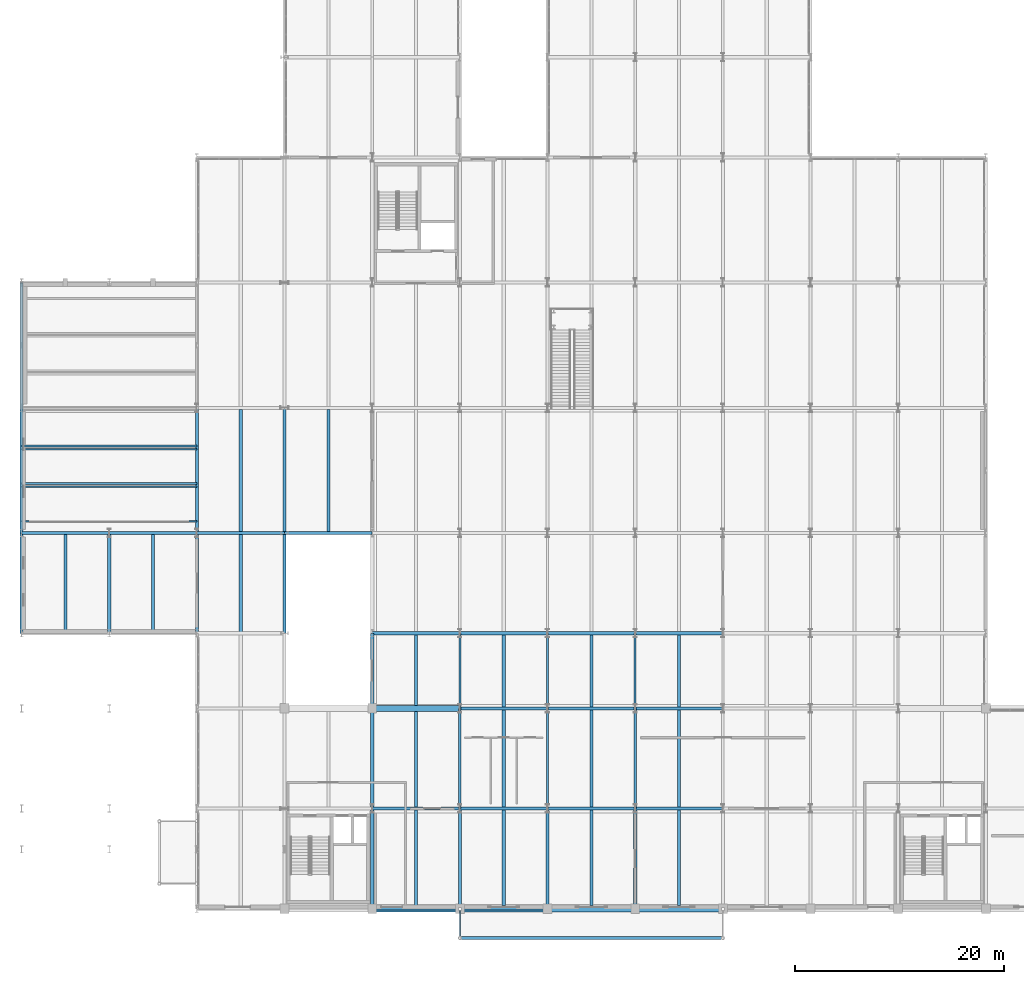
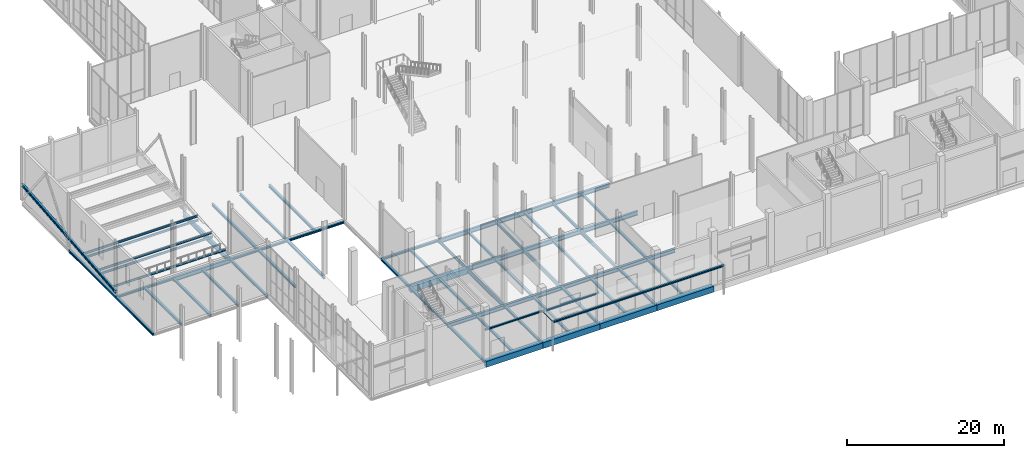
# One storey, part 22 of 131: 65 beams, 1 member.
"""IFC4 building model written with IfcOpenShell, lengths in metres."""

from ifc_helpers import new_model, si_unit, direction, frame, origin, origin_2d, place, context, subcontext, project, spatial, rectangle, hollow_rectangle, i_section, extrude, material, material_profile, profile_set, type_object, element, save


model = new_model("IFC4")

# Units and contexts
model_context = context("Model", 3, precision=1e-05, world=origin(), true_north=direction((0.0, 1.0)))
body_context = subcontext(model_context, "Body", "Model", "MODEL_VIEW")
ifc_project = project(units=[si_unit("LENGTHUNIT", "METRE"), si_unit("AREAUNIT", "SQUARE_METRE"), si_unit("VOLUMEUNIT", "CUBIC_METRE"), si_unit("PLANEANGLEUNIT", "RADIAN"), si_unit("MASSUNIT", "GRAM", prefix="KILO")], contexts=[model_context])

# Site, building, storey
site_placement = place(None, origin())
site = spatial("IfcSite", under=ifc_project, at=site_placement, CompositionType="ELEMENT")
building_placement = place(site_placement, origin())
building = spatial("IfcBuilding", under=site, at=building_placement, Name="Veltarok Museum of Natural Sciences", CompositionType="ELEMENT")
storey_placement = place(building_placement, origin())
storey = spatial("IfcBuildingStorey", under=building, at=storey_placement, Name="L00", CompositionType="ELEMENT", Elevation=0.0)

# Beam
ifc_material_1 = material(Name="Steel S355J2", Category="steel")
ifc_material_profile_1 = material_profile(ifc_material_1, i_section(OverallWidth=0.300048828125, OverallDepth=0.43994140625, WebThickness=0.011474609375, FlangeThickness=0.02099609375, FilletRadius=0.027099609375, at=origin_2d()), Name="HEA 450")
ifc_profile_set_1 = profile_set([ifc_material_profile_1], Name="Steel S355J2")
beam_type_1 = type_object("IfcBeamType", Name="Auditorium Tier Raker Beam HEA 450", PredefinedType="BEAM", material=ifc_profile_set_1)
beam_1_placement = place(storey_placement, frame((6.39990234375, 36.0, 0.339111328125), z_axis=(0.0, 0.995825088731, 0.091281940456), x_axis=(-1.0, 0.0, 0.0)))
element("IfcBeam", 1, at=beam_1_placement, inside=storey, type_object=beam_type_1, Name="Auditorium Raker Beam RAKER-L00-1", PredefinedType="BEAM", context=body_context, shape_type="SweptSolid", body=[
    extrude(i_section(OverallWidth=0.300048828125, OverallDepth=0.43994140625, WebThickness=0.011474609375, FlangeThickness=0.02099609375, FilletRadius=0.027099609375, at=origin_2d()), origin(), (0.0, 0.0, 1.0), 24.1005859375),
])

# Member
ifc_material_profile_2 = material_profile(ifc_material_1, hollow_rectangle(XDim=0.06005859375, YDim=0.1201171875, WallThickness=0.0048828125, at=origin_2d()), Name="RHS 120x60x5")
ifc_profile_set_2 = profile_set([ifc_material_profile_2], Name="Steel S355J2")
member_type = type_object("IfcMemberType", Name="Canopy Glazing Purlin RHS 120x60x5", PredefinedType="PURLIN", material=ifc_profile_set_2)
member_placement = place(storey_placement, frame((48.39990234375, -2.800048828125, 4.5400390625), z_axis=(0.0, 1.0, 0.0), x_axis=(-1.0, 0.0, 0.0)))
element("IfcMember", 2, at=member_placement, inside=storey, type_object=member_type, Name="Canopy Purlin CAN-S-1", PredefinedType="PURLIN", context=body_context, shape_type="SweptSolid", body=[
    extrude(hollow_rectangle(XDim=0.06005859375, YDim=0.1201171875, WallThickness=0.0048828125, at=origin_2d()), origin(), (0.0, 0.0, 1.0), 2.800048828125),
])

# Beams
ifc_material_2 = material(Name="Concrete C40/50", Category="concrete")
ifc_material_profile_3 = material_profile(ifc_material_2, rectangle(XDim=0.60009765625, YDim=0.89990234375, at=origin_2d()), Name="RC 600x900")
ifc_profile_set_3 = profile_set([ifc_material_profile_3], Name="Concrete C40/50")
beam_type_2 = type_object("IfcBeamType", Name="Exposed Cabinet Perimeter Spandrel RC 600x900", PredefinedType="SPANDREL", material=ifc_profile_set_3)
beam_2_placement = place(storey_placement, frame((40.0, 0.0, -0.75), z_axis=(1.0, 0.0, 0.0), x_axis=(0.0, 1.0, 0.0)))
element("IfcBeam", 3, at=beam_2_placement, inside=storey, type_object=beam_type_2, Name="Beam BM-SP01 L00 5-6/A", PredefinedType="SPANDREL", context=body_context, shape_type="SweptSolid", body=[
    extrude(rectangle(XDim=0.60009765625, YDim=0.89990234375, at=origin_2d()), origin(), (0.0, 0.0, 1.0), 8.39990234375),
])
beam_3_placement = place(storey_placement, frame((48.39990234375, 0.0, -0.75), z_axis=(1.0, 0.0, 0.0), x_axis=(0.0, 1.0, 0.0)))
element("IfcBeam", 4, at=beam_3_placement, inside=storey, type_object=beam_type_2, Name="Beam BM-SP01 L00 6-7/A", PredefinedType="SPANDREL", context=body_context, shape_type="SweptSolid", body=[
    extrude(rectangle(XDim=0.60009765625, YDim=0.89990234375, at=origin_2d()), origin(), (0.0, 0.0, 1.0), 8.400146484375),
])
beam_4_placement = place(storey_placement, frame((56.800048828125, 0.0, -0.75), z_axis=(1.0, 0.0, 0.0), x_axis=(0.0, 1.0, 0.0)))
element("IfcBeam", 5, at=beam_4_placement, inside=storey, type_object=beam_type_2, Name="Beam BM-SP01 L00 7-8/A", PredefinedType="SPANDREL", context=body_context, shape_type="SweptSolid", body=[
    extrude(rectangle(XDim=0.60009765625, YDim=0.89990234375, at=origin_2d()), origin(), (0.0, 0.0, 1.0), 8.39990234375),
])
beam_5_placement = place(storey_placement, frame((65.199951171875, 0.0, -0.75), z_axis=(1.0, 0.0, 0.0), x_axis=(0.0, 1.0, 0.0)))
element("IfcBeam", 6, at=beam_5_placement, inside=storey, type_object=beam_type_2, Name="Beam BM-SP01 L00 8-9/A", PredefinedType="SPANDREL", context=body_context, shape_type="SweptSolid", body=[
    extrude(rectangle(XDim=0.60009765625, YDim=0.89990234375, at=origin_2d()), origin(), (0.0, 0.0, 1.0), 8.400146484375),
])
beam_6_placement = place(storey_placement, frame((40.0, 19.199951171875, -0.75), z_axis=(1.0, 0.0, 0.0), x_axis=(0.0, 1.0, 0.0)))
element("IfcBeam", 7, at=beam_6_placement, inside=storey, type_object=beam_type_2, Name="Beam BM-SP01 L00 5-6/C", PredefinedType="SPANDREL", context=body_context, shape_type="SweptSolid", body=[
    extrude(rectangle(XDim=0.60009765625, YDim=0.89990234375, at=origin_2d()), origin(), (0.0, 0.0, 1.0), 8.39990234375),
])
ifc_material_profile_4 = material_profile(ifc_material_1, i_section(OverallWidth=0.300048828125, OverallDepth=0.389892578125, WebThickness=0.010986328125, FlangeThickness=0.01904296875, FilletRadius=0.027099609375, at=origin_2d()), Name="HEA 400")
ifc_profile_set_4 = profile_set([ifc_material_profile_4], Name="Steel S355J2")
beam_type_3 = type_object("IfcBeamType", Name="Heavy Archive Joist HEA 400", PredefinedType="JOIST", material=ifc_profile_set_4)
for number, where, z_axis, x_axis, name in (
    (8, (27.39990234375, 36.14794921875, -0.4951171875), (0.0, 1.0, 0.0), (-1.0, 0.0, 0.0), "Secondary Joist BM-J06 L00 3-4/E-F.1"),
    (9, (35.800048828125, 36.14794921875, -0.4951171875), (0.0, 1.0, 0.0), (-1.0, 0.0, 0.0), "Secondary Joist BM-J06 L00 4-5/E-F.1"),
):
    element("IfcBeam", number, at=place(storey_placement, frame(where, z_axis=z_axis, x_axis=x_axis)), inside=storey, type_object=beam_type_3, Name=name, PredefinedType="JOIST", context=body_context, shape_type="SweptSolid", body=[
        extrude(i_section(OverallWidth=0.300048828125, OverallDepth=0.389892578125, WebThickness=0.010986328125, FlangeThickness=0.01904296875, FilletRadius=0.027099609375, at=origin_2d()), origin(), (0.0, 0.0, 1.0), 11.7041015625),
    ])
ifc_material_profile_5 = material_profile(ifc_material_1, i_section(OverallWidth=0.300048828125, OverallDepth=0.64990234375, WebThickness=0.01611328125, FlangeThickness=0.031005859375, FilletRadius=0.027099609375, at=origin_2d()), Name="HEB 650")
ifc_profile_set_5 = profile_set([ifc_material_profile_5], Name="Steel S355J2")
beam_type_4 = type_object("IfcBeamType", Name="Heavy Spine Girder HEB 650", PredefinedType="BEAM", material=ifc_profile_set_5)
beam_7_placement = place(storey_placement, frame((40.0, 9.60009765625, -0.625), z_axis=(1.0, 0.0, 0.0), x_axis=(0.0, 1.0, 0.0)))
element("IfcBeam", 10, at=beam_7_placement, inside=storey, type_object=beam_type_4, Name="Beam BM-G11 L00 5-6/B", PredefinedType="BEAM", context=body_context, shape_type="SweptSolid", body=[
    extrude(i_section(OverallWidth=0.300048828125, OverallDepth=0.64990234375, WebThickness=0.01611328125, FlangeThickness=0.031005859375, FilletRadius=0.027099609375, at=origin_2d()), origin(), (0.0, 0.0, 1.0), 8.39990234375),
])
beam_8_placement = place(storey_placement, frame((48.39990234375, 9.60009765625, -0.625), z_axis=(1.0, 0.0, 0.0), x_axis=(0.0, 1.0, 0.0)))
element("IfcBeam", 11, at=beam_8_placement, inside=storey, type_object=beam_type_4, Name="Beam BM-G11 L00 6-7/B", PredefinedType="BEAM", context=body_context, shape_type="SweptSolid", body=[
    extrude(i_section(OverallWidth=0.300048828125, OverallDepth=0.64990234375, WebThickness=0.01611328125, FlangeThickness=0.031005859375, FilletRadius=0.027099609375, at=origin_2d()), origin(), (0.0, 0.0, 1.0), 8.400146484375),
])
beam_9_placement = place(storey_placement, frame((56.800048828125, 9.60009765625, -0.625), z_axis=(1.0, 0.0, 0.0), x_axis=(0.0, 1.0, 0.0)))
element("IfcBeam", 12, at=beam_9_placement, inside=storey, type_object=beam_type_4, Name="Beam BM-G11 L00 7-8/B", PredefinedType="BEAM", context=body_context, shape_type="SweptSolid", body=[
    extrude(i_section(OverallWidth=0.300048828125, OverallDepth=0.64990234375, WebThickness=0.01611328125, FlangeThickness=0.031005859375, FilletRadius=0.027099609375, at=origin_2d()), origin(), (0.0, 0.0, 1.0), 8.39990234375),
])
for number, where, z_axis, x_axis, name in (
    (13, (65.199951171875, 9.60009765625, -0.625), (1.0, 0.0, 0.0), (0.0, 1.0, 0.0), "Beam BM-G11 L00 8-9/B"),
    (14, (48.39990234375, 19.199951171875, -0.625), (1.0, 0.0, 0.0), (0.0, 1.0, 0.0), "Beam BM-G11 L00 6-7/C"),
):
    element("IfcBeam", number, at=place(storey_placement, frame(where, z_axis=z_axis, x_axis=x_axis)), inside=storey, type_object=beam_type_4, Name=name, PredefinedType="BEAM", context=body_context, shape_type="SweptSolid", body=[
        extrude(i_section(OverallWidth=0.300048828125, OverallDepth=0.64990234375, WebThickness=0.01611328125, FlangeThickness=0.031005859375, FilletRadius=0.027099609375, at=origin_2d()), origin(), (0.0, 0.0, 1.0), 8.400146484375),
    ])
beam_10_placement = place(storey_placement, frame((56.800048828125, 19.199951171875, -0.625), z_axis=(1.0, 0.0, 0.0), x_axis=(0.0, 1.0, 0.0)))
element("IfcBeam", 15, at=beam_10_placement, inside=storey, type_object=beam_type_4, Name="Beam BM-G11 L00 7-8/C", PredefinedType="BEAM", context=body_context, shape_type="SweptSolid", body=[
    extrude(i_section(OverallWidth=0.300048828125, OverallDepth=0.64990234375, WebThickness=0.01611328125, FlangeThickness=0.031005859375, FilletRadius=0.027099609375, at=origin_2d()), origin(), (0.0, 0.0, 1.0), 8.39990234375),
])
for number, where, z_axis, x_axis, name in (
    (16, (65.199951171875, 19.199951171875, -0.625), (1.0, 0.0, 0.0), (0.0, 1.0, 0.0), "Beam BM-G11 L00 8-9/C"),
    (17, (48.39990234375, 26.39990234375, -0.625), (1.0, 0.0, 0.0), (0.0, 1.0, 0.0), "Beam BM-G11 L00 6-7/D"),
):
    element("IfcBeam", number, at=place(storey_placement, frame(where, z_axis=z_axis, x_axis=x_axis)), inside=storey, type_object=beam_type_4, Name=name, PredefinedType="BEAM", context=body_context, shape_type="SweptSolid", body=[
        extrude(i_section(OverallWidth=0.300048828125, OverallDepth=0.64990234375, WebThickness=0.01611328125, FlangeThickness=0.031005859375, FilletRadius=0.027099609375, at=origin_2d()), origin(), (0.0, 0.0, 1.0), 8.400146484375),
    ])
beam_11_placement = place(storey_placement, frame((56.800048828125, 26.39990234375, -0.625), z_axis=(1.0, 0.0, 0.0), x_axis=(0.0, 1.0, 0.0)))
element("IfcBeam", 18, at=beam_11_placement, inside=storey, type_object=beam_type_4, Name="Beam BM-G11 L00 7-8/D", PredefinedType="BEAM", context=body_context, shape_type="SweptSolid", body=[
    extrude(i_section(OverallWidth=0.300048828125, OverallDepth=0.64990234375, WebThickness=0.01611328125, FlangeThickness=0.031005859375, FilletRadius=0.027099609375, at=origin_2d()), origin(), (0.0, 0.0, 1.0), 8.39990234375),
])
beam_12_placement = place(storey_placement, frame((65.199951171875, 26.39990234375, -0.625), z_axis=(1.0, 0.0, 0.0), x_axis=(0.0, 1.0, 0.0)))
element("IfcBeam", 19, at=beam_12_placement, inside=storey, type_object=beam_type_4, Name="Beam BM-G11 L00 8-9/D", PredefinedType="BEAM", context=body_context, shape_type="SweptSolid", body=[
    extrude(i_section(OverallWidth=0.300048828125, OverallDepth=0.64990234375, WebThickness=0.01611328125, FlangeThickness=0.031005859375, FilletRadius=0.027099609375, at=origin_2d()), origin(), (0.0, 0.0, 1.0), 8.400146484375),
])
beam_13_placement = place(storey_placement, frame((14.800048828125, 36.0, -0.625), z_axis=(1.0, 0.0, 0.0), x_axis=(0.0, 1.0, 0.0)))
element("IfcBeam", 20, at=beam_13_placement, inside=storey, type_object=beam_type_4, Name="Beam BM-G11 L00 2-3/E", PredefinedType="BEAM", context=body_context, shape_type="SweptSolid", body=[
    extrude(i_section(OverallWidth=0.300048828125, OverallDepth=0.64990234375, WebThickness=0.01611328125, FlangeThickness=0.031005859375, FilletRadius=0.027099609375, at=origin_2d()), origin(), (0.0, 0.0, 1.0), 8.39990234375),
])
ifc_material_profile_6 = material_profile(ifc_material_1, i_section(OverallWidth=0.18994140625, OverallDepth=0.449951171875, WebThickness=0.009521484375, FlangeThickness=0.0146484375, FilletRadius=0.02099609375, at=origin_2d()), Name="IPE 450")
ifc_profile_set_6 = profile_set([ifc_material_profile_6], Name="Steel S355J2")
beam_type_5 = type_object("IfcBeamType", Name="Laboratory Floor Girder IPE 450", PredefinedType="BEAM", material=ifc_profile_set_6)
for number, where, z_axis, x_axis, name in (
    (21, (48.39990234375, 19.199951171875, -0.52490234375), (0.0, 1.0, 0.0), (-1.0, 0.0, 0.0), "Beam BM-G05 L00 6/C-D"),
    (22, (56.800048828125, 19.199951171875, -0.52490234375), (0.0, 1.0, 0.0), (-1.0, 0.0, 0.0), "Beam BM-G05 L00 7/C-D"),
    (23, (65.199951171875, 19.199951171875, -0.52490234375), (0.0, 1.0, 0.0), (-1.0, 0.0, 0.0), "Beam BM-G05 L00 8/C-D"),
):
    element("IfcBeam", number, at=place(storey_placement, frame(where, z_axis=z_axis, x_axis=x_axis)), inside=storey, type_object=beam_type_5, Name=name, PredefinedType="BEAM", context=body_context, shape_type="SweptSolid", body=[
        extrude(i_section(OverallWidth=0.18994140625, OverallDepth=0.449951171875, WebThickness=0.009521484375, FlangeThickness=0.0146484375, FilletRadius=0.02099609375, at=origin_2d()), origin(), (0.0, 0.0, 1.0), 7.199951171875),
    ])
ifc_material_profile_7 = material_profile(ifc_material_1, i_section(OverallWidth=0.300048828125, OverallDepth=0.300048828125, WebThickness=0.010986328125, FlangeThickness=0.01904296875, FilletRadius=0.027099609375, at=origin_2d()), Name="HEB 300")
ifc_profile_set_7 = profile_set([ifc_material_profile_7], Name="Steel S355J2")
beam_type_6 = type_object("IfcBeamType", Name="Laboratory Floor Joist HEB 300", PredefinedType="JOIST", material=ifc_profile_set_7)
beam_14_placement = place(storey_placement, frame((44.199951171875, 19.498046875, -0.449951171875), z_axis=(0.0, 1.0, 0.0), x_axis=(-1.0, 0.0, 0.0)))
element("IfcBeam", 24, at=beam_14_placement, inside=storey, type_object=beam_type_6, Name="Secondary Joist BM-J10 L00 5-6/C-D.1", PredefinedType="JOIST", context=body_context, shape_type="SweptSolid", body=[
    extrude(i_section(OverallWidth=0.300048828125, OverallDepth=0.300048828125, WebThickness=0.010986328125, FlangeThickness=0.01904296875, FilletRadius=0.027099609375, at=origin_2d()), origin(), (0.0, 0.0, 1.0), 6.75390625),
])
for number, where, z_axis, x_axis, name in (
    (25, (52.60009765625, 19.347900390625, -0.449951171875), (0.0, 1.0, 0.0), (-1.0, 0.0, 0.0), "Secondary Joist BM-J10 L00 6-7/C-D.1"),
    (26, (61.0, 19.347900390625, -0.449951171875), (0.0, 1.0, 0.0), (-1.0, 0.0, 0.0), "Secondary Joist BM-J10 L00 7-8/C-D.1"),
    (27, (69.39990234375, 19.347900390625, -0.449951171875), (0.0, 1.0, 0.0), (-1.0, 0.0, 0.0), "Secondary Joist BM-J10 L00 8-9/C-D.1"),
):
    element("IfcBeam", number, at=place(storey_placement, frame(where, z_axis=z_axis, x_axis=x_axis)), inside=storey, type_object=beam_type_6, Name=name, PredefinedType="JOIST", context=body_context, shape_type="SweptSolid", body=[
        extrude(i_section(OverallWidth=0.300048828125, OverallDepth=0.300048828125, WebThickness=0.010986328125, FlangeThickness=0.01904296875, FilletRadius=0.027099609375, at=origin_2d()), origin(), (0.0, 0.0, 1.0), 6.904052734375),
    ])
ifc_material_profile_8 = material_profile(ifc_material_1, i_section(OverallWidth=0.300048828125, OverallDepth=0.35009765625, WebThickness=0.010009765625, FlangeThickness=0.017578125, FilletRadius=0.027099609375, at=origin_2d()), Name="HEA 360")
ifc_profile_set_8 = profile_set([ifc_material_profile_8], Name="Steel S355J2")
beam_type_7 = type_object("IfcBeamType", Name="Long-Span Gallery Joist HEA 360", PredefinedType="JOIST", material=ifc_profile_set_8)
for number, where, z_axis, x_axis, name in (
    (28, (10.60009765625, 26.548095703125, -0.47509765625), (0.0, 1.0, 0.0), (-1.0, 0.0, 0.0), "Secondary Joist BM-J07 L00 1-2/D-E.1"),
    (29, (19.0, 26.548095703125, -0.47509765625), (0.0, 1.0, 0.0), (-1.0, 0.0, 0.0), "Secondary Joist BM-J07 L00 2-3/D-E.1"),
    (30, (27.39990234375, 26.548095703125, -0.47509765625), (0.0, 1.0, 0.0), (-1.0, 0.0, 0.0), "Secondary Joist BM-J07 L00 3-4/D-E.1"),
):
    element("IfcBeam", number, at=place(storey_placement, frame(where, z_axis=z_axis, x_axis=x_axis)), inside=storey, type_object=beam_type_7, Name=name, PredefinedType="JOIST", context=body_context, shape_type="SweptSolid", body=[
        extrude(i_section(OverallWidth=0.300048828125, OverallDepth=0.35009765625, WebThickness=0.010009765625, FlangeThickness=0.017578125, FilletRadius=0.027099609375, at=origin_2d()), origin(), (0.0, 0.0, 1.0), 9.303955078125),
    ])
beam_15_placement = place(storey_placement, frame((44.199951171875, 0.298095703125, -0.47509765625), z_axis=(0.0, 1.0, 0.0), x_axis=(-1.0, 0.0, 0.0)))
element("IfcBeam", 31, at=beam_15_placement, inside=storey, type_object=beam_type_7, Name="Secondary Joist BM-J07 L00 5-6/A-B.1", PredefinedType="JOIST", context=body_context, shape_type="SweptSolid", body=[
    extrude(i_section(OverallWidth=0.300048828125, OverallDepth=0.35009765625, WebThickness=0.010009765625, FlangeThickness=0.017578125, FilletRadius=0.027099609375, at=origin_2d()), origin(), (0.0, 0.0, 1.0), 9.15380859375),
])
beam_16_placement = place(storey_placement, frame((44.199951171875, 9.748046875, -0.47509765625), z_axis=(0.0, 1.0, 0.0), x_axis=(-1.0, 0.0, 0.0)))
element("IfcBeam", 32, at=beam_16_placement, inside=storey, type_object=beam_type_7, Name="Secondary Joist BM-J07 L00 5-6/B-C.1", PredefinedType="JOIST", context=body_context, shape_type="SweptSolid", body=[
    extrude(i_section(OverallWidth=0.300048828125, OverallDepth=0.35009765625, WebThickness=0.010009765625, FlangeThickness=0.017578125, FilletRadius=0.027099609375, at=origin_2d()), origin(), (0.0, 0.0, 1.0), 9.154052734375),
])
beam_17_placement = place(storey_placement, frame((52.60009765625, 0.298095703125, -0.47509765625), z_axis=(0.0, 1.0, 0.0), x_axis=(-1.0, 0.0, 0.0)))
element("IfcBeam", 33, at=beam_17_placement, inside=storey, type_object=beam_type_7, Name="Secondary Joist BM-J07 L00 6-7/A-B.1", PredefinedType="JOIST", context=body_context, shape_type="SweptSolid", body=[
    extrude(i_section(OverallWidth=0.300048828125, OverallDepth=0.35009765625, WebThickness=0.010009765625, FlangeThickness=0.017578125, FilletRadius=0.027099609375, at=origin_2d()), origin(), (0.0, 0.0, 1.0), 9.15380859375),
])
beam_18_placement = place(storey_placement, frame((52.60009765625, 9.748046875, -0.47509765625), z_axis=(0.0, 1.0, 0.0), x_axis=(-1.0, 0.0, 0.0)))
element("IfcBeam", 34, at=beam_18_placement, inside=storey, type_object=beam_type_7, Name="Secondary Joist BM-J07 L00 6-7/B-C.1", PredefinedType="JOIST", context=body_context, shape_type="SweptSolid", body=[
    extrude(i_section(OverallWidth=0.300048828125, OverallDepth=0.35009765625, WebThickness=0.010009765625, FlangeThickness=0.017578125, FilletRadius=0.027099609375, at=origin_2d()), origin(), (0.0, 0.0, 1.0), 9.303955078125),
])
beam_19_placement = place(storey_placement, frame((61.0, 0.298095703125, -0.47509765625), z_axis=(0.0, 1.0, 0.0), x_axis=(-1.0, 0.0, 0.0)))
element("IfcBeam", 35, at=beam_19_placement, inside=storey, type_object=beam_type_7, Name="Secondary Joist BM-J07 L00 7-8/A-B.1", PredefinedType="JOIST", context=body_context, shape_type="SweptSolid", body=[
    extrude(i_section(OverallWidth=0.300048828125, OverallDepth=0.35009765625, WebThickness=0.010009765625, FlangeThickness=0.017578125, FilletRadius=0.027099609375, at=origin_2d()), origin(), (0.0, 0.0, 1.0), 9.15380859375),
])
beam_20_placement = place(storey_placement, frame((61.0, 9.748046875, -0.47509765625), z_axis=(0.0, 1.0, 0.0), x_axis=(-1.0, 0.0, 0.0)))
element("IfcBeam", 36, at=beam_20_placement, inside=storey, type_object=beam_type_7, Name="Secondary Joist BM-J07 L00 7-8/B-C.1", PredefinedType="JOIST", context=body_context, shape_type="SweptSolid", body=[
    extrude(i_section(OverallWidth=0.300048828125, OverallDepth=0.35009765625, WebThickness=0.010009765625, FlangeThickness=0.017578125, FilletRadius=0.027099609375, at=origin_2d()), origin(), (0.0, 0.0, 1.0), 9.303955078125),
])
beam_21_placement = place(storey_placement, frame((69.39990234375, 0.298095703125, -0.47509765625), z_axis=(0.0, 1.0, 0.0), x_axis=(-1.0, 0.0, 0.0)))
element("IfcBeam", 37, at=beam_21_placement, inside=storey, type_object=beam_type_7, Name="Secondary Joist BM-J07 L00 8-9/A-B.1", PredefinedType="JOIST", context=body_context, shape_type="SweptSolid", body=[
    extrude(i_section(OverallWidth=0.300048828125, OverallDepth=0.35009765625, WebThickness=0.010009765625, FlangeThickness=0.017578125, FilletRadius=0.027099609375, at=origin_2d()), origin(), (0.0, 0.0, 1.0), 9.15380859375),
])
beam_22_placement = place(storey_placement, frame((69.39990234375, 9.748046875, -0.47509765625), z_axis=(0.0, 1.0, 0.0), x_axis=(-1.0, 0.0, 0.0)))
element("IfcBeam", 38, at=beam_22_placement, inside=storey, type_object=beam_type_7, Name="Secondary Joist BM-J07 L00 8-9/B-C.1", PredefinedType="JOIST", context=body_context, shape_type="SweptSolid", body=[
    extrude(i_section(OverallWidth=0.300048828125, OverallDepth=0.35009765625, WebThickness=0.010009765625, FlangeThickness=0.017578125, FilletRadius=0.027099609375, at=origin_2d()), origin(), (0.0, 0.0, 1.0), 9.303955078125),
])
ifc_material_profile_9 = material_profile(ifc_material_1, i_section(OverallWidth=0.300048828125, OverallDepth=0.699951171875, WebThickness=0.01708984375, FlangeThickness=0.031982421875, FilletRadius=0.027099609375, at=origin_2d()), Name="HEB 700")
ifc_profile_set_9 = profile_set([ifc_material_profile_9], Name="Steel S355J2")
beam_type_8 = type_object("IfcBeamType", Name="Long-Span Hall Girder HEB 700", PredefinedType="BEAM", material=ifc_profile_set_9)
beam_23_placement = place(storey_placement, frame((23.199951171875, 36.0, -0.64990234375), z_axis=(0.0, 1.0, 0.0), x_axis=(-1.0, 0.0, 0.0)))
element("IfcBeam", 39, at=beam_23_placement, inside=storey, type_object=beam_type_8, Name="Beam BM-G01 L00 3/E-F", PredefinedType="BEAM", context=body_context, shape_type="SweptSolid", body=[
    extrude(i_section(OverallWidth=0.300048828125, OverallDepth=0.699951171875, WebThickness=0.01708984375, FlangeThickness=0.031982421875, FilletRadius=0.027099609375, at=origin_2d()), origin(), (0.0, 0.0, 1.0), 12.0),
])
ifc_material_profile_10 = material_profile(ifc_material_1, i_section(OverallWidth=0.159912109375, OverallDepth=0.330078125, WebThickness=0.007568359375, FlangeThickness=0.011474609375, FilletRadius=0.01806640625, at=origin_2d()), Name="IPE 330")
ifc_profile_set_10 = profile_set([ifc_material_profile_10], Name="Steel S355J2")
beam_type_9 = type_object("IfcBeamType", Name="Medium-Bay Composite Joist IPE 330", PredefinedType="JOIST", material=ifc_profile_set_10)
for number, where, z_axis, x_axis, name in (
    (40, (6.39990234375, 37.14990234375, 0.405029296875), (1.0, 0.0, 0.0), (0.0, 1.0, 0.0), "Auditorium Tier Joist L00-1F"),
    (41, (6.39990234375, 40.449951171875, 0.405029296875), (1.0, 0.0, 0.0), (0.0, 1.0, 0.0), "Auditorium Tier Joist L00-1B"),
    (42, (6.39990234375, 40.75, 0.824951171875), (1.0, 0.0, 0.0), (0.0, 1.0, 0.0), "Auditorium Tier Joist L00-2F"),
    (43, (6.39990234375, 44.050048828125, 0.824951171875), (1.0, 0.0, 0.0), (0.0, 1.0, 0.0), "Auditorium Tier Joist L00-2B"),
    (44, (6.39990234375, 44.35009765625, 1.2451171875), (1.0, 0.0, 0.0), (0.0, 1.0, 0.0), "Auditorium Tier Joist L00-3F"),
):
    element("IfcBeam", number, at=place(storey_placement, frame(where, z_axis=z_axis, x_axis=x_axis)), inside=storey, type_object=beam_type_9, Name=name, PredefinedType="JOIST", context=body_context, shape_type="SweptSolid", body=[
        extrude(i_section(OverallWidth=0.159912109375, OverallDepth=0.330078125, WebThickness=0.007568359375, FlangeThickness=0.011474609375, FilletRadius=0.01806640625, at=origin_2d()), origin(), (0.0, 0.0, 1.0), 16.800048828125),
    ])
ifc_material_profile_11 = material_profile(ifc_material_1, i_section(OverallWidth=0.300048828125, OverallDepth=0.340087890625, WebThickness=0.011962890625, FlangeThickness=0.021484375, FilletRadius=0.027099609375, at=origin_2d()), Name="HEB 340")
ifc_profile_set_11 = profile_set([ifc_material_profile_11], Name="Steel S355J2")
beam_type_10 = type_object("IfcBeamType", Name="Perimeter Bridge Spandrel HEB 340", PredefinedType="SPANDREL", material=ifc_profile_set_11)
beam_24_placement = place(storey_placement, frame((40.0, 26.39990234375, -0.469970703125), z_axis=(1.0, 0.0, 0.0), x_axis=(0.0, 1.0, 0.0)))
element("IfcBeam", 45, at=beam_24_placement, inside=storey, type_object=beam_type_10, Name="Beam BM-SP07 L00 5-6/D", PredefinedType="SPANDREL", context=body_context, shape_type="SweptSolid", body=[
    extrude(i_section(OverallWidth=0.300048828125, OverallDepth=0.340087890625, WebThickness=0.011962890625, FlangeThickness=0.021484375, FilletRadius=0.027099609375, at=origin_2d()), origin(), (0.0, 0.0, 1.0), 8.39990234375),
])
for number, where, z_axis, x_axis, name in (
    (46, (6.39990234375, 36.0, -0.469970703125), (1.0, 0.0, 0.0), (0.0, 1.0, 0.0), "Beam BM-SP07 L00 1-2/E"),
    (47, (23.199951171875, 36.0, -0.469970703125), (1.0, 0.0, 0.0), (0.0, 1.0, 0.0), "Beam BM-SP07 L00 3-4/E"),
):
    element("IfcBeam", number, at=place(storey_placement, frame(where, z_axis=z_axis, x_axis=x_axis)), inside=storey, type_object=beam_type_10, Name=name, PredefinedType="SPANDREL", context=body_context, shape_type="SweptSolid", body=[
        extrude(i_section(OverallWidth=0.300048828125, OverallDepth=0.340087890625, WebThickness=0.011962890625, FlangeThickness=0.021484375, FilletRadius=0.027099609375, at=origin_2d()), origin(), (0.0, 0.0, 1.0), 8.400146484375),
    ])
beam_25_placement = place(storey_placement, frame((31.60009765625, 36.0, -0.469970703125), z_axis=(1.0, 0.0, 0.0), x_axis=(0.0, 1.0, 0.0)))
element("IfcBeam", 48, at=beam_25_placement, inside=storey, type_object=beam_type_10, Name="Beam BM-SP07 L00 4-5/E", PredefinedType="SPANDREL", context=body_context, shape_type="SweptSolid", body=[
    extrude(i_section(OverallWidth=0.300048828125, OverallDepth=0.340087890625, WebThickness=0.011962890625, FlangeThickness=0.021484375, FilletRadius=0.027099609375, at=origin_2d()), origin(), (0.0, 0.0, 1.0), 8.39990234375),
])
beam_26_placement = place(storey_placement, frame((6.39990234375, 26.39990234375, -0.469970703125), z_axis=(0.0, 1.0, 0.0), x_axis=(-1.0, 0.0, 0.0)))
element("IfcBeam", 49, at=beam_26_placement, inside=storey, type_object=beam_type_10, Name="Beam BM-SP07 L00 1/D-E", PredefinedType="SPANDREL", context=body_context, shape_type="SweptSolid", body=[
    extrude(i_section(OverallWidth=0.300048828125, OverallDepth=0.340087890625, WebThickness=0.011962890625, FlangeThickness=0.021484375, FilletRadius=0.027099609375, at=origin_2d()), origin(), (0.0, 0.0, 1.0), 9.60009765625),
])
beam_27_placement = place(storey_placement, frame((6.39990234375, 36.0, -0.469970703125), z_axis=(0.0, 1.0, 0.0), x_axis=(-1.0, 0.0, 0.0)))
element("IfcBeam", 50, at=beam_27_placement, inside=storey, type_object=beam_type_10, Name="Beam BM-SP07 L00 1/E-F", PredefinedType="SPANDREL", context=body_context, shape_type="SweptSolid", body=[
    extrude(i_section(OverallWidth=0.300048828125, OverallDepth=0.340087890625, WebThickness=0.011962890625, FlangeThickness=0.021484375, FilletRadius=0.027099609375, at=origin_2d()), origin(), (0.0, 0.0, 1.0), 12.0),
])
for number, where, z_axis, x_axis, name in (
    (51, (14.800048828125, 26.39990234375, -0.469970703125), (0.0, 1.0, 0.0), (-1.0, 0.0, 0.0), "Beam BM-SP07 L00 2/D-E"),
    (52, (23.199951171875, 26.39990234375, -0.469970703125), (0.0, 1.0, 0.0), (-1.0, 0.0, 0.0), "Beam BM-SP07 L00 3/D-E"),
    (53, (31.60009765625, 26.39990234375, -0.469970703125), (0.0, 1.0, 0.0), (-1.0, 0.0, 0.0), "Beam BM-SP07 L00 4/D-E"),
):
    element("IfcBeam", number, at=place(storey_placement, frame(where, z_axis=z_axis, x_axis=x_axis)), inside=storey, type_object=beam_type_10, Name=name, PredefinedType="SPANDREL", context=body_context, shape_type="SweptSolid", body=[
        extrude(i_section(OverallWidth=0.300048828125, OverallDepth=0.340087890625, WebThickness=0.011962890625, FlangeThickness=0.021484375, FilletRadius=0.027099609375, at=origin_2d()), origin(), (0.0, 0.0, 1.0), 9.60009765625),
    ])
beam_28_placement = place(storey_placement, frame((31.60009765625, 36.0, -0.469970703125), z_axis=(0.0, 1.0, 0.0), x_axis=(-1.0, 0.0, 0.0)))
element("IfcBeam", 54, at=beam_28_placement, inside=storey, type_object=beam_type_10, Name="Beam BM-SP07 L00 4/E-F", PredefinedType="SPANDREL", context=body_context, shape_type="SweptSolid", body=[
    extrude(i_section(OverallWidth=0.300048828125, OverallDepth=0.340087890625, WebThickness=0.011962890625, FlangeThickness=0.021484375, FilletRadius=0.027099609375, at=origin_2d()), origin(), (0.0, 0.0, 1.0), 12.0),
])
beam_29_placement = place(storey_placement, frame((40.0, 0.0, -0.469970703125), z_axis=(0.0, 1.0, 0.0), x_axis=(-1.0, 0.0, 0.0)))
element("IfcBeam", 55, at=beam_29_placement, inside=storey, type_object=beam_type_10, Name="Beam BM-SP07 L00 5/A-B", PredefinedType="SPANDREL", context=body_context, shape_type="SweptSolid", body=[
    extrude(i_section(OverallWidth=0.300048828125, OverallDepth=0.340087890625, WebThickness=0.011962890625, FlangeThickness=0.021484375, FilletRadius=0.027099609375, at=origin_2d()), origin(), (0.0, 0.0, 1.0), 9.60009765625),
])
beam_30_placement = place(storey_placement, frame((40.0, 9.60009765625, -0.469970703125), z_axis=(0.0, 1.0, 0.0), x_axis=(-1.0, 0.0, 0.0)))
element("IfcBeam", 56, at=beam_30_placement, inside=storey, type_object=beam_type_10, Name="Beam BM-SP07 L00 5/B-C", PredefinedType="SPANDREL", context=body_context, shape_type="SweptSolid", body=[
    extrude(i_section(OverallWidth=0.300048828125, OverallDepth=0.340087890625, WebThickness=0.011962890625, FlangeThickness=0.021484375, FilletRadius=0.027099609375, at=origin_2d()), origin(), (0.0, 0.0, 1.0), 9.599853515625),
])
beam_31_placement = place(storey_placement, frame((40.0, 19.199951171875, -0.469970703125), z_axis=(0.0, 1.0, 0.0), x_axis=(-1.0, 0.0, 0.0)))
element("IfcBeam", 57, at=beam_31_placement, inside=storey, type_object=beam_type_10, Name="Beam BM-SP07 L00 5/C-D", PredefinedType="SPANDREL", context=body_context, shape_type="SweptSolid", body=[
    extrude(i_section(OverallWidth=0.300048828125, OverallDepth=0.340087890625, WebThickness=0.011962890625, FlangeThickness=0.021484375, FilletRadius=0.027099609375, at=origin_2d()), origin(), (0.0, 0.0, 1.0), 7.199951171875),
])
for number, where, z_axis, x_axis, name in (
    (58, (48.39990234375, 0.0, -0.469970703125), (0.0, 1.0, 0.0), (-1.0, 0.0, 0.0), "Beam BM-SP07 L00 6/A-B"),
    (59, (56.800048828125, 0.0, -0.469970703125), (0.0, 1.0, 0.0), (-1.0, 0.0, 0.0), "Beam BM-SP07 L00 7/A-B"),
    (60, (65.199951171875, 0.0, -0.469970703125), (0.0, 1.0, 0.0), (-1.0, 0.0, 0.0), "Beam BM-SP07 L00 8/A-B"),
):
    element("IfcBeam", number, at=place(storey_placement, frame(where, z_axis=z_axis, x_axis=x_axis)), inside=storey, type_object=beam_type_10, Name=name, PredefinedType="SPANDREL", context=body_context, shape_type="SweptSolid", body=[
        extrude(i_section(OverallWidth=0.300048828125, OverallDepth=0.340087890625, WebThickness=0.011962890625, FlangeThickness=0.021484375, FilletRadius=0.027099609375, at=origin_2d()), origin(), (0.0, 0.0, 1.0), 9.60009765625),
    ])
ifc_material_profile_12 = material_profile(ifc_material_1, i_section(OverallWidth=0.260009765625, OverallDepth=0.25, WebThickness=0.007568359375, FlangeThickness=0.012451171875, FilletRadius=0.02392578125, at=origin_2d()), Name="HEA 260")
ifc_profile_set_12 = profile_set([ifc_material_profile_12], Name="Steel S355J2")
beam_type_11 = type_object("IfcBeamType", Name="Portal and Dock Lintel Beam HEA 260", PredefinedType="LINTEL", material=ifc_profile_set_12)
beam_32_placement = place(storey_placement, frame((48.39990234375, -2.800048828125, 4.47509765625), z_axis=(1.0, 0.0, 0.0), x_axis=(0.0, 1.0, 0.0)))
element("IfcBeam", 61, at=beam_32_placement, inside=storey, type_object=beam_type_11, Name="Canopy Edge Beam CAN-S", PredefinedType="LINTEL", context=body_context, shape_type="SweptSolid", body=[
    extrude(i_section(OverallWidth=0.260009765625, OverallDepth=0.25, WebThickness=0.007568359375, FlangeThickness=0.012451171875, FilletRadius=0.02392578125, at=origin_2d()), origin(), (0.0, 0.0, 1.0), 25.2001953125),
])
beam_33_placement = place(storey_placement, frame((40.0, 0.0, 4.52490234375), z_axis=(1.0, 0.0, 0.0), x_axis=(0.0, 1.0, 0.0)))
element("IfcBeam", 62, at=beam_33_placement, inside=storey, type_object=beam_type_11, Name="Portal Lintel Beam LN-ENT-1", PredefinedType="LINTEL", context=body_context, shape_type="SweptSolid", body=[
    extrude(i_section(OverallWidth=0.260009765625, OverallDepth=0.25, WebThickness=0.007568359375, FlangeThickness=0.012451171875, FilletRadius=0.02392578125, at=origin_2d()), origin(), (0.0, 0.0, 1.0), 8.39990234375),
])
beam_34_placement = place(storey_placement, frame((48.39990234375, 0.0, 4.425048828125), z_axis=(1.0, 0.0, 0.0), x_axis=(0.0, 1.0, 0.0)))
element("IfcBeam", 63, at=beam_34_placement, inside=storey, type_object=beam_type_11, Name="Portal Lintel Beam LN-ENT-2", PredefinedType="LINTEL", context=body_context, shape_type="SweptSolid", body=[
    extrude(i_section(OverallWidth=0.260009765625, OverallDepth=0.25, WebThickness=0.007568359375, FlangeThickness=0.012451171875, FilletRadius=0.02392578125, at=origin_2d()), origin(), (0.0, 0.0, 1.0), 8.400146484375),
])
ifc_material_profile_13 = material_profile(ifc_material_1, i_section(OverallWidth=0.219970703125, OverallDepth=0.60009765625, WebThickness=0.011962890625, FlangeThickness=0.01904296875, FilletRadius=0.02392578125, at=origin_2d()), Name="IPE 600")
ifc_profile_set_13 = profile_set([ifc_material_profile_13], Name="Steel S355J2")
beam_type_12 = type_object("IfcBeamType", Name="Primary Museum Girder IPE 600", PredefinedType="BEAM", material=ifc_profile_set_13)
for number, where, z_axis, x_axis, name in (
    (64, (48.39990234375, 9.60009765625, -0.60009765625), (0.0, 1.0, 0.0), (-1.0, 0.0, 0.0), "Beam BM-G02 L00 6/B-C"),
    (65, (56.800048828125, 9.60009765625, -0.60009765625), (0.0, 1.0, 0.0), (-1.0, 0.0, 0.0), "Beam BM-G02 L00 7/B-C"),
    (66, (65.199951171875, 9.60009765625, -0.60009765625), (0.0, 1.0, 0.0), (-1.0, 0.0, 0.0), "Beam BM-G02 L00 8/B-C"),
):
    element("IfcBeam", number, at=place(storey_placement, frame(where, z_axis=z_axis, x_axis=x_axis)), inside=storey, type_object=beam_type_12, Name=name, PredefinedType="BEAM", context=body_context, shape_type="SweptSolid", body=[
        extrude(i_section(OverallWidth=0.219970703125, OverallDepth=0.60009765625, WebThickness=0.011962890625, FlangeThickness=0.01904296875, FilletRadius=0.02392578125, at=origin_2d()), origin(), (0.0, 0.0, 1.0), 9.599853515625),
    ])

save(model, "model.ifc")
